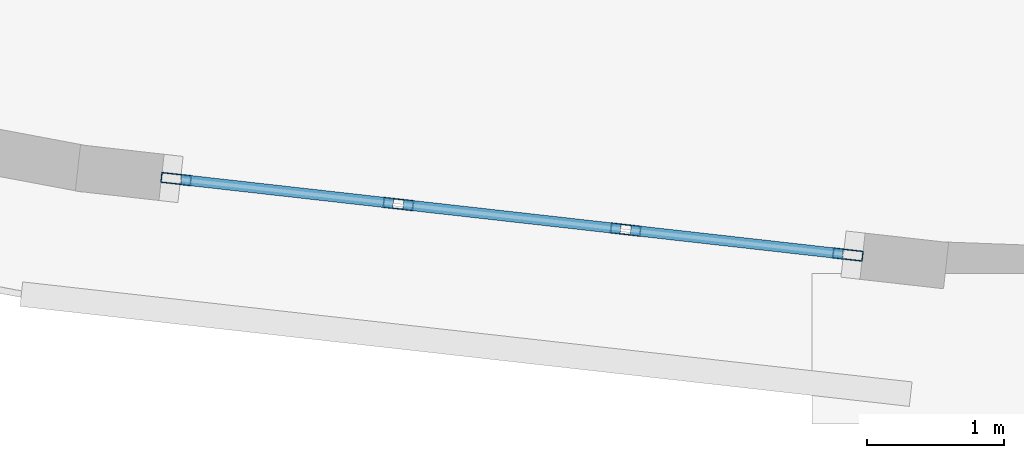
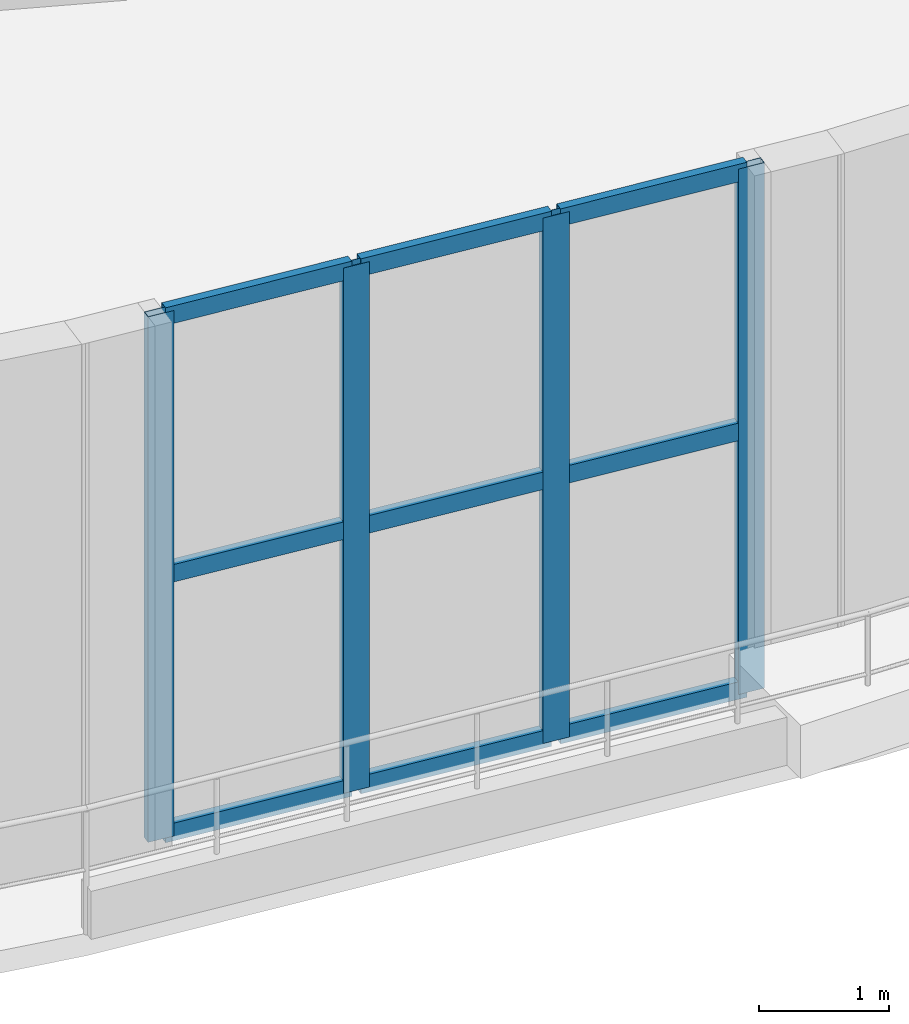
# One storey, part 4 of 19: 13 members, 1 element without a shape of its own.
"""IFC4 building model written with IfcOpenShell, lengths in metres."""

from ifc_helpers import new_model, si_unit, direction, frame, origin, origin_2d, place, context, subcontext, project, spatial, hollow_rectangle, extrude, material, layer, layer_set, material_profile, profile_set, type_object, element, aggregate, save


model = new_model("IFC4")

# Units and contexts
model_context = context("Model", 3, precision=1e-05, world=origin(), true_north=direction((0.0, 1.0)))
body_context = subcontext(model_context, "Body", "Model", "MODEL_VIEW")
ifc_project = project(units=[si_unit("LENGTHUNIT", "METRE"), si_unit("AREAUNIT", "SQUARE_METRE"), si_unit("VOLUMEUNIT", "CUBIC_METRE"), si_unit("PLANEANGLEUNIT", "RADIAN"), si_unit("MASSUNIT", "GRAM", prefix="KILO")], contexts=[model_context])

# Site, building, storey
site_placement = place(None, origin())
site = spatial("IfcSite", under=ifc_project, at=site_placement, CompositionType="ELEMENT")
building_placement = place(site_placement, origin())
building = spatial("IfcBuilding", under=site, at=building_placement, Name="Miruveldt Soraemaru", CompositionType="ELEMENT")
storey_placement = place(building_placement, frame((0.0, 0.0, 24.0)))
storey = spatial("IfcBuildingStorey", under=building, at=storey_placement, Name="L06", CompositionType="ELEMENT", Elevation=24.0)

# Curtain wall, members
ifc_material = material(Name="Anodised aluminium EN AW-6063 T6", Category="aluminium")
ifc_layer = layer(ifc_material, 0.219970703125, Name="Anodised aluminium EN AW-6063 T6", Category="aluminium")
ifc_layer_set = layer_set([ifc_layer], Name="Anodised aluminium EN AW-6063 T6")
curtain_wall_type = type_object("IfcCurtainWallType", Name="CW-SYS-2", PredefinedType="USERDEFINED", material=ifc_layer_set)
curtain_wall_placement = place(storey_placement, origin())
curtain_wall = element("IfcCurtainWall", 1, at=curtain_wall_placement, inside=storey, type_object=curtain_wall_type, Name="L06 Curtain Wall Bay 23", ObjectType="STOREFRONT", PredefinedType="USERDEFINED")
ifc_material_profile_1 = material_profile(ifc_material, hollow_rectangle(XDim=0.074951171875, YDim=0.219970703125, WallThickness=0.0048828125, at=origin_2d()), Name="Anodised aluminium EN AW-6063 T6", Category="aluminium")
ifc_profile_set_1 = profile_set([ifc_material_profile_1], Name="Anodised aluminium EN AW-6063 T6")
member_type_1 = type_object("IfcMemberType", Name="CWM-2", PredefinedType="MULLION", material=ifc_profile_set_1)
member_1_placement = place(storey_placement, frame((32.122314453125, 18.908935546875, 0.0), z_axis=(0.0, 0.0, 1.0), x_axis=(0.111771659465, 0.993733916167, 0.0)))
member_1 = element("IfcMember", 2, at=member_1_placement, type_object=member_type_1, Name="CW-2 mullion 1", PredefinedType="MULLION", context=body_context, shape_type="SweptSolid", body=[
    extrude(hollow_rectangle(XDim=0.074951171875, YDim=0.219970703125, WallThickness=0.0048828125, at=origin_2d()), origin(), (0.0, 0.0, 1.0), 4.925048828125),
])
member_2_placement = place(storey_placement, frame((33.748046875, 18.72607421875, 0.0), z_axis=(0.0, 0.0, 1.0), x_axis=(0.111771659465, 0.993733916167, 0.0)))
member_2 = element("IfcMember", 3, at=member_2_placement, type_object=member_type_1, Name="CW-2 mullion 2", PredefinedType="MULLION", context=body_context, shape_type="SweptSolid", body=[
    extrude(hollow_rectangle(XDim=0.074951171875, YDim=0.219970703125, WallThickness=0.0048828125, at=origin_2d()), origin(), (0.0, 0.0, 1.0), 4.925048828125),
])
member_3_placement = place(storey_placement, frame((35.410888671875, 18.5390625, 0.0), z_axis=(0.0, 0.0, 1.0), x_axis=(0.111771659465, 0.993733916167, 0.0)))
member_3 = element("IfcMember", 4, at=member_3_placement, type_object=member_type_1, Name="CW-2 mullion 3", PredefinedType="MULLION", context=body_context, shape_type="SweptSolid", body=[
    extrude(hollow_rectangle(XDim=0.074951171875, YDim=0.219970703125, WallThickness=0.0048828125, at=origin_2d()), origin(), (0.0, 0.0, 1.0), 4.925048828125),
])
member_4_placement = place(storey_placement, frame((37.036376953125, 18.356201171875, 0.0), z_axis=(0.0, 0.0, 1.0), x_axis=(0.111771659465, 0.993733916167, 0.0)))
member_4 = element("IfcMember", 5, at=member_4_placement, type_object=member_type_1, Name="CW-2 mullion 4", PredefinedType="MULLION", context=body_context, shape_type="SweptSolid", body=[
    extrude(hollow_rectangle(XDim=0.074951171875, YDim=0.219970703125, WallThickness=0.0048828125, at=origin_2d()), origin(), (0.0, 0.0, 1.0), 4.925048828125),
])
ifc_material_profile_2 = material_profile(ifc_material, hollow_rectangle(XDim=0.074951171875, YDim=0.1650390625, WallThickness=0.00390625, at=origin_2d()), Name="Anodised aluminium EN AW-6063 T6", Category="aluminium")
ifc_profile_set_2 = profile_set([ifc_material_profile_2], Name="Anodised aluminium EN AW-6063 T6")
member_type_2 = type_object("IfcMemberType", Name="CWT-2", PredefinedType="USERDEFINED", material=ifc_profile_set_2)
member_5_placement = place(storey_placement, frame((32.15966796875, 18.90478515625, 0.03759765625), z_axis=(0.993726319237, -0.111839181214, 0.0), x_axis=(0.111839181214, 0.993726319237, 0.0)))
member_5 = element("IfcMember", 6, at=member_5_placement, type_object=member_type_2, Name="CW-2 transom 1.1", ObjectType="TRANSOM", PredefinedType="USERDEFINED", context=body_context, shape_type="SweptSolid", body=[
    extrude(hollow_rectangle(XDim=0.074951171875, YDim=0.1650390625, WallThickness=0.00390625, at=origin_2d()), origin(), (0.0, 0.0, 1.0), 1.560791015625),
])
member_6_placement = place(storey_placement, frame((32.15966796875, 18.90478515625, 2.46240234375), z_axis=(0.993726319237, -0.111839181214, 0.0), x_axis=(0.111839181214, 0.993726319237, 0.0)))
member_6 = element("IfcMember", 7, at=member_6_placement, type_object=member_type_2, Name="CW-2 transom 1.2", ObjectType="TRANSOM", PredefinedType="USERDEFINED", context=body_context, shape_type="SweptSolid", body=[
    extrude(hollow_rectangle(XDim=0.074951171875, YDim=0.1650390625, WallThickness=0.00390625, at=origin_2d()), origin(), (0.0, 0.0, 1.0), 1.560791015625),
])
member_7_placement = place(storey_placement, frame((32.15966796875, 18.90478515625, 4.887451171875), z_axis=(0.993726319237, -0.111839181214, 0.0), x_axis=(0.111839181214, 0.993726319237, 0.0)))
member_7 = element("IfcMember", 8, at=member_7_placement, type_object=member_type_2, Name="CW-2 transom 1.3", ObjectType="TRANSOM", PredefinedType="USERDEFINED", context=body_context, shape_type="SweptSolid", body=[
    extrude(hollow_rectangle(XDim=0.074951171875, YDim=0.1650390625, WallThickness=0.00390625, at=origin_2d()), origin(), (0.0, 0.0, 1.0), 1.560791015625),
])
member_8_placement = place(storey_placement, frame((33.78515625, 18.721923828125, 0.03759765625), z_axis=(0.993730043453, -0.11180608543, 0.0), x_axis=(0.11180608543, 0.993730043453, 0.0)))
member_8 = element("IfcMember", 9, at=member_8_placement, type_object=member_type_2, Name="CW-2 transom 2.1", ObjectType="TRANSOM", PredefinedType="USERDEFINED", context=body_context, shape_type="SweptSolid", body=[
    extrude(hollow_rectangle(XDim=0.074951171875, YDim=0.1650390625, WallThickness=0.00390625, at=origin_2d()), origin(), (0.0, 0.0, 1.0), 1.598388671875),
])
member_9_placement = place(storey_placement, frame((33.78515625, 18.721923828125, 2.46240234375), z_axis=(0.993730043453, -0.11180608543, 0.0), x_axis=(0.11180608543, 0.993730043453, 0.0)))
member_9 = element("IfcMember", 10, at=member_9_placement, type_object=member_type_2, Name="CW-2 transom 2.2", ObjectType="TRANSOM", PredefinedType="USERDEFINED", context=body_context, shape_type="SweptSolid", body=[
    extrude(hollow_rectangle(XDim=0.074951171875, YDim=0.1650390625, WallThickness=0.00390625, at=origin_2d()), origin(), (0.0, 0.0, 1.0), 1.598388671875),
])
member_10_placement = place(storey_placement, frame((33.78515625, 18.721923828125, 4.887451171875), z_axis=(0.993730043453, -0.11180608543, 0.0), x_axis=(0.11180608543, 0.993730043453, 0.0)))
member_10 = element("IfcMember", 11, at=member_10_placement, type_object=member_type_2, Name="CW-2 transom 2.3", ObjectType="TRANSOM", PredefinedType="USERDEFINED", context=body_context, shape_type="SweptSolid", body=[
    extrude(hollow_rectangle(XDim=0.074951171875, YDim=0.1650390625, WallThickness=0.00390625, at=origin_2d()), origin(), (0.0, 0.0, 1.0), 1.598388671875),
])
member_11_placement = place(storey_placement, frame((35.447998046875, 18.534912109375, 0.03759765625), z_axis=(0.993728275264, -0.111821799939, 0.0), x_axis=(0.111821799939, 0.993728275264, 0.0)))
member_11 = element("IfcMember", 12, at=member_11_placement, type_object=member_type_2, Name="CW-2 transom 3.1", ObjectType="TRANSOM", PredefinedType="USERDEFINED", context=body_context, shape_type="SweptSolid", body=[
    extrude(hollow_rectangle(XDim=0.074951171875, YDim=0.1650390625, WallThickness=0.00390625, at=origin_2d()), origin(), (0.0, 0.0, 1.0), 1.56103515625),
])
member_12_placement = place(storey_placement, frame((35.447998046875, 18.534912109375, 2.46240234375), z_axis=(0.993728275264, -0.111821799939, 0.0), x_axis=(0.111821799939, 0.993728275264, 0.0)))
member_12 = element("IfcMember", 13, at=member_12_placement, type_object=member_type_2, Name="CW-2 transom 3.2", ObjectType="TRANSOM", PredefinedType="USERDEFINED", context=body_context, shape_type="SweptSolid", body=[
    extrude(hollow_rectangle(XDim=0.074951171875, YDim=0.1650390625, WallThickness=0.00390625, at=origin_2d()), origin(), (0.0, 0.0, 1.0), 1.56103515625),
])
member_13_placement = place(storey_placement, frame((35.447998046875, 18.534912109375, 4.887451171875), z_axis=(0.993728275264, -0.111821799939, 0.0), x_axis=(0.111821799939, 0.993728275264, 0.0)))
member_13 = element("IfcMember", 14, at=member_13_placement, type_object=member_type_2, Name="CW-2 transom 3.3", ObjectType="TRANSOM", PredefinedType="USERDEFINED", context=body_context, shape_type="SweptSolid", body=[
    extrude(hollow_rectangle(XDim=0.074951171875, YDim=0.1650390625, WallThickness=0.00390625, at=origin_2d()), origin(), (0.0, 0.0, 1.0), 1.56103515625),
])
aggregate(curtain_wall, [member_1, member_2, member_3, member_4, member_5, member_6, member_7, member_8, member_9, member_10, member_11, member_12, member_13])

save(model, "model.ifc")
